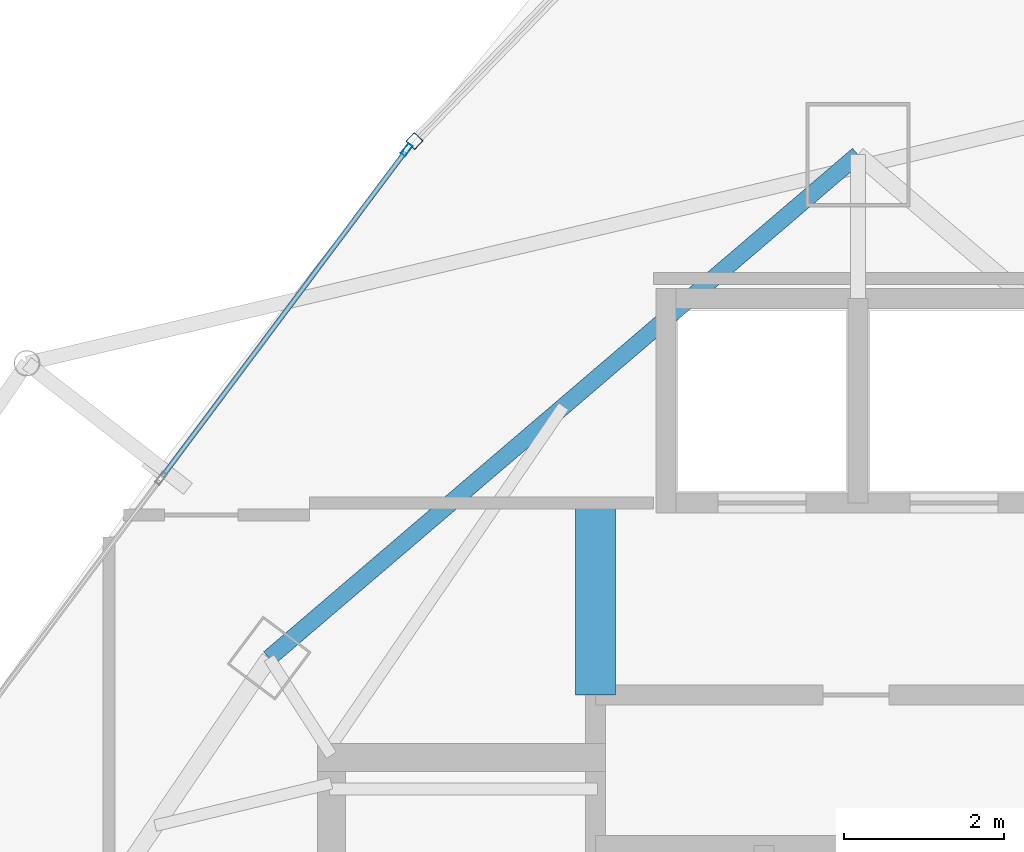
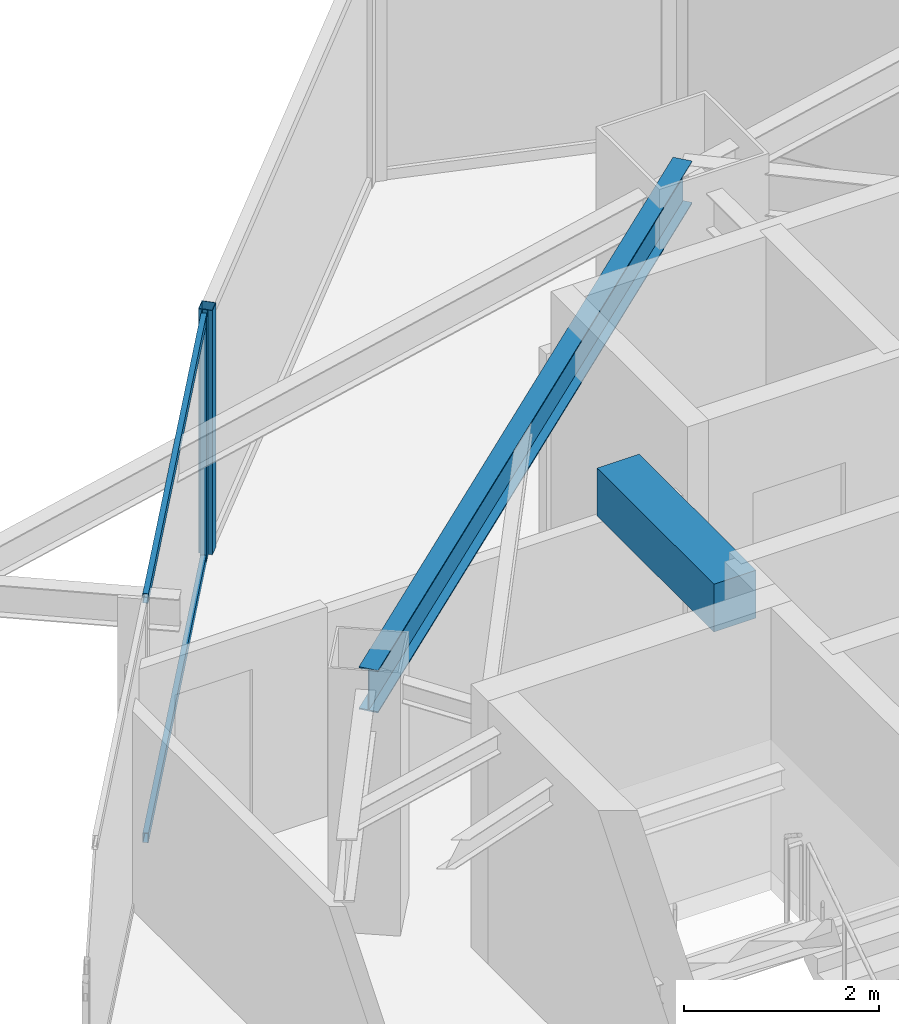
# One storey, part 24 of 33: 4 members, 2 beams, 2 elements without a shape of their own.
"""IFC4 building model written with IfcOpenShell, lengths in metres."""

from ifc_helpers import new_model, si_unit, direction, frame, origin, origin_2d, place, context, subcontext, project, spatial, rectangle, hollow_rectangle, i_section, extrude, material, layer, layer_set, material_profile, profile_set, type_object, element, aggregate, save


model = new_model("IFC4")

# Units and contexts
model_context = context("Model", 3, precision=1e-05, world=origin(), true_north=direction((0.0, 1.0)))
body_context = subcontext(model_context, "Body", "Model", "MODEL_VIEW")
ifc_project = project(units=[si_unit("LENGTHUNIT", "METRE"), si_unit("AREAUNIT", "SQUARE_METRE"), si_unit("VOLUMEUNIT", "CUBIC_METRE"), si_unit("PLANEANGLEUNIT", "RADIAN"), si_unit("MASSUNIT", "GRAM", prefix="KILO")], contexts=[model_context])

# Site, building, storey
site_placement = place(None, origin())
site = spatial("IfcSite", under=ifc_project, at=site_placement, CompositionType="ELEMENT")
building_placement = place(site_placement, origin())
building = spatial("IfcBuilding", under=site, at=building_placement, Name="Orvanel Arch Residences", CompositionType="ELEMENT")
storey_placement = place(building_placement, frame((0.0, 0.0, 196.39990234375)))
storey = spatial("IfcBuildingStorey", under=building, at=storey_placement, Name="L55", CompositionType="ELEMENT", Elevation=196.39990234375)

# Beam
ifc_material_1 = material(Name="Concrete S65 (65 MPa)", Category="concrete")
ifc_material_profile_1 = material_profile(ifc_material_1, rectangle(XDim=0.5, YDim=0.60009765625, at=origin_2d()), Name="RC500x600")
ifc_profile_set_1 = profile_set([ifc_material_profile_1], Name="Concrete S65 (65 MPa)")
beam_type_1 = type_object("IfcBeamType", Name="CB-500x600", PredefinedType="LINTEL", material=ifc_profile_set_1)
beam_1_placement = place(storey_placement, frame((29.72509765625, 34.64990234375, 2.760009765625), z_axis=(0.0, 1.0, 0.0), x_axis=(-1.0, 0.0, 0.0)))
element("IfcBeam", 1, at=beam_1_placement, inside=storey, type_object=beam_type_1, Name="L55 West Core Lobby Coupling Lintel Beam", PredefinedType="LINTEL", context=body_context, shape_type="SweptSolid", body=[
    extrude(rectangle(XDim=0.5, YDim=0.60009765625, at=origin_2d()), origin(), (0.0, 0.0, 1.0), 2.400146484375),
])

# Curtain wall, member
ifc_material_2 = material(Name="Bronze-anodised aluminium AA6063-T6", Category="aluminium")
ifc_layer_1 = layer(ifc_material_2, 0.18994140625)
ifc_layer_set_1 = layer_set([ifc_layer_1], Name="Bronze-anodised aluminium AA6063-T6")
curtain_wall_type_1 = type_object("IfcCurtainWallType", Name="CW5-CRN-SYS", PredefinedType="NOTDEFINED", material=ifc_layer_set_1)
curtain_wall_1_placement = place(storey_placement, origin())
curtain_wall_1 = element("IfcCurtainWall", 2, at=curtain_wall_1_placement, inside=storey, type_object=curtain_wall_type_1, Name="L55 CW5-CRN-SYS Unitised Curtain Wall", PredefinedType="NOTDEFINED")
ifc_material_profile_2 = material_profile(ifc_material_2, hollow_rectangle(XDim=0.14990234375, YDim=0.14990234375, WallThickness=0.0048828125, at=origin_2d()), Name="ALU150x150x5")
ifc_profile_set_2 = profile_set([ifc_material_profile_2], Name="Bronze-anodised aluminium AA6063-T6")
member_type_1 = type_object("IfcMemberType", Name="MUL-150x150", PredefinedType="MULLION", material=ifc_profile_set_2)
member_1_placement = place(storey_placement, frame((27.463134765625, 41.56884765625, 0.0), z_axis=(0.0, 0.0, 1.0), x_axis=(0.718665152295, -0.695356310733, 0.0)))
member_1 = element("IfcMember", 3, at=member_1_placement, type_object=member_type_1, Name="CW-S5 mullion 2", PredefinedType="MULLION", context=body_context, shape_type="SweptSolid", body=[
    extrude(hollow_rectangle(XDim=0.14990234375, YDim=0.14990234375, WallThickness=0.0048828125, at=origin_2d()), origin(), (0.0, 0.0, 1.0), 3.06005859375),
])
aggregate(curtain_wall_1, [member_1])

ifc_layer_2 = layer(ifc_material_2, 0.175048828125)
ifc_layer_set_2 = layer_set([ifc_layer_2], Name="Bronze-anodised aluminium AA6063-T6")
curtain_wall_type_2 = type_object("IfcCurtainWallType", Name="CW4-HI-SYS", PredefinedType="NOTDEFINED", material=ifc_layer_set_2)
curtain_wall_2_placement = place(storey_placement, origin())
curtain_wall_2 = element("IfcCurtainWall", 4, at=curtain_wall_2_placement, inside=storey, type_object=curtain_wall_type_2, Name="L55 CW4-HI-SYS Unitised Curtain Wall", PredefinedType="NOTDEFINED")
ifc_material_profile_3 = material_profile(ifc_material_2, hollow_rectangle(XDim=0.06494140625, YDim=0.159912109375, WallThickness=0.00390625, at=origin_2d()), Name="ALU160x65x4")
ifc_profile_set_3 = profile_set([ifc_material_profile_3], Name="Bronze-anodised aluminium AA6063-T6")
member_type_2 = type_object("IfcMemberType", Name="MUL-160x65", PredefinedType="MULLION", material=ifc_profile_set_3)
member_2_placement = place(storey_placement, frame((27.365478515625, 41.458984375, 0.0), z_axis=(0.0, 0.0, 1.0), x_axis=(0.800790783216, -0.598944172287, 0.0)))
member_2 = element("IfcMember", 5, at=member_2_placement, type_object=member_type_2, Name="CW-S4 mullion 1", PredefinedType="MULLION", context=body_context, shape_type="SweptSolid", body=[
    extrude(hollow_rectangle(XDim=0.06494140625, YDim=0.159912109375, WallThickness=0.00390625, at=origin_2d()), origin(), (0.0, 0.0, 1.0), 3.06005859375),
])

# Beam
ifc_material_3 = material(Name="Structural steel AS/NZS 3679.1 Grade 300 (300 MPa)", Category="steel")
ifc_material_profile_4 = material_profile(ifc_material_3, i_section(OverallWidth=0.208984375, OverallDepth=0.532958984375, WebThickness=0.01025390625, FlangeThickness=0.015625, at=origin_2d()), Name="530UB92.4")
ifc_profile_set_4 = profile_set([ifc_material_profile_4], Name="Structural steel AS/NZS 3679.1 Grade 300 (300 MPa)")
beam_type_2 = type_object("IfcBeamType", Name="SP-530UB", PredefinedType="SPANDREL", material=ifc_profile_set_4)
beam_2_placement = place(storey_placement, frame((33.0, 41.39794921875, 2.794189453125), z_axis=(-0.760116518398, -0.649786794617, 0.0), x_axis=(0.649786794617, -0.760116518398, 0.0)))
element("IfcBeam", 6, at=beam_2_placement, inside=storey, type_object=beam_type_2, Name="L55 Perimeter Spandrel Beam 10", PredefinedType="SPANDREL", context=body_context, shape_type="SweptSolid", body=[
    extrude(i_section(OverallWidth=0.208984375, OverallDepth=0.532958984375, WebThickness=0.01025390625, FlangeThickness=0.015625, at=origin_2d()), origin(), (0.0, 0.0, 1.0), 9.67236328125),
])

# Member
ifc_material_profile_5 = material_profile(ifc_material_2, hollow_rectangle(XDim=0.06005859375, YDim=0.1201171875, WallThickness=0.00341796875, at=origin_2d()), Name="ALU120x60x3.5")
ifc_profile_set_5 = profile_set([ifc_material_profile_5], Name="Bronze-anodised aluminium AA6063-T6")
member_type_3 = type_object("IfcMemberType", Name="TRN-120x60", PredefinedType="USERDEFINED", material=ifc_profile_set_5)
member_3_placement = place(storey_placement, frame((27.345947265625, 41.432861328125, 0.030029296875), z_axis=(-0.598949016829, -0.800787159762, 0.0), x_axis=(0.800787159762, -0.598949016829, 0.0)))
member_3 = element("IfcMember", 7, at=member_3_placement, type_object=member_type_3, Name="CW-S4 transom 1.1", ObjectType="TRANSOM", PredefinedType="USERDEFINED", context=body_context, shape_type="SweptSolid", body=[
    extrude(hollow_rectangle(XDim=0.06005859375, YDim=0.1201171875, WallThickness=0.00341796875, at=origin_2d()), origin(), (0.0, 0.0, 1.0), 5.057373046875),
])

member_4_placement = place(storey_placement, frame((27.345947265625, 41.432861328125, 3.030029296875), z_axis=(-0.598949016829, -0.800787159762, 0.0), x_axis=(0.800787159762, -0.598949016829, 0.0)))
member_4 = element("IfcMember", 8, at=member_4_placement, type_object=member_type_3, Name="CW-S4 transom 1.2", ObjectType="TRANSOM", PredefinedType="USERDEFINED", context=body_context, shape_type="SweptSolid", body=[
    extrude(hollow_rectangle(XDim=0.06005859375, YDim=0.1201171875, WallThickness=0.00341796875, at=origin_2d()), origin(), (0.0, 0.0, 1.0), 5.057373046875),
])

aggregate(curtain_wall_2, [member_2, member_3, member_4])

save(model, "model.ifc")
